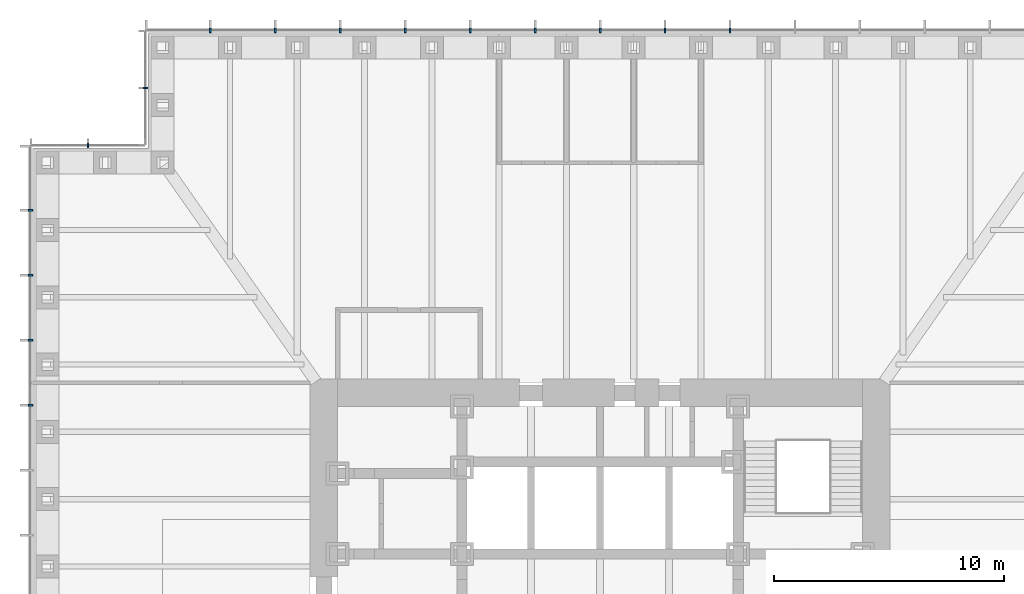
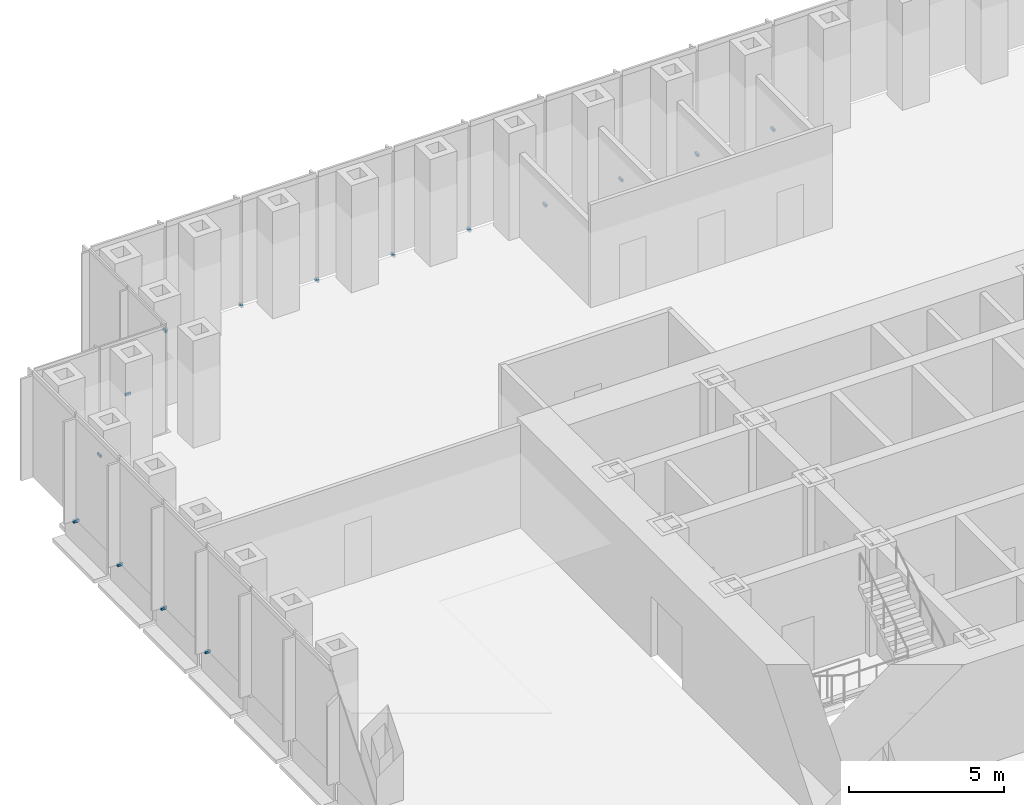
# One storey, part 14 of 16: 15 discrete accessories.
"""IFC4 building model written with IfcOpenShell, lengths in metres."""

from ifc_helpers import new_model, si_unit, direction, frame, origin, origin_2d, place, context, subcontext, project, spatial, rectangle, extrude, element, save


model = new_model("IFC4")

# Units and contexts
model_context = context("Model", 3, precision=1e-05, world=origin(), true_north=direction((0.0, 1.0)))
body_context = subcontext(model_context, "Body", "Model", "MODEL_VIEW")
ifc_project = project(units=[si_unit("LENGTHUNIT", "METRE"), si_unit("AREAUNIT", "SQUARE_METRE"), si_unit("VOLUMEUNIT", "CUBIC_METRE"), si_unit("PLANEANGLEUNIT", "RADIAN"), si_unit("MASSUNIT", "GRAM", prefix="KILO")], contexts=[model_context])

# Site, building, storey
site_placement = place(None, origin())
site = spatial("IfcSite", under=ifc_project, at=site_placement, CompositionType="ELEMENT")
building_placement = place(site_placement, origin())
building = spatial("IfcBuilding", under=site, at=building_placement, Name="Daluyong Arena Tower", CompositionType="ELEMENT")
storey_placement = place(building_placement, frame((0.0, 0.0, 43.300048828125)))
storey = spatial("IfcBuildingStorey", under=building, at=storey_placement, Name="L08", CompositionType="ELEMENT", Elevation=43.300048828125)

# Discrete accessories
for number, where, z_axis, x_axis, name in (
    (1, (61.642822265625, 104.75, -0.10009765625), (0.0, 0.0, 1.0), (-1.0, 0.0, 0.0), "curtain wall L08 N anchor bracket 6"),
    (2, (58.821533203125, 104.75, -0.10009765625), (0.0, 0.0, 1.0), (-1.0, 0.0, 0.0), "curtain wall L08 N anchor bracket 7"),
    (3, (56.0, 104.75, -0.10009765625), (0.0, 0.0, 1.0), (-1.0, 0.0, 0.0), "curtain wall L08 N anchor bracket 8"),
    (4, (53.178466796875, 104.75, -0.10009765625), (0.0, 0.0, 1.0), (-1.0, 0.0, 0.0), "curtain wall L08 N anchor bracket 9"),
    (5, (50.357177734375, 104.75, -0.10009765625), (0.0, 0.0, 1.0), (-1.0, 0.0, 0.0), "curtain wall L08 N anchor bracket 10"),
    (6, (47.53564453125, 104.75, -0.10009765625), (0.0, 0.0, 1.0), (-1.0, 0.0, 0.0), "curtain wall L08 N anchor bracket 11"),
    (7, (44.71435546875, 104.75, -0.10009765625), (0.0, 0.0, 1.0), (-1.0, 0.0, 0.0), "curtain wall L08 N anchor bracket 12"),
    (8, (41.892822265625, 104.75, -0.10009765625), (0.0, 0.0, 1.0), (-1.0, 0.0, 0.0), "curtain wall L08 N anchor bracket 13"),
    (9, (39.071533203125, 104.75, -0.10009765625), (0.0, 0.0, 1.0), (-1.0, 0.0, 0.0), "curtain wall L08 N anchor bracket 14"),
):
    element("IfcDiscreteAccessory", number, at=place(storey_placement, frame(where, z_axis=z_axis, x_axis=x_axis)), inside=storey, Name=name, PredefinedType="BRACKET", context=body_context, shape_type="SweptSolid", body=[
        extrude(rectangle(XDim=0.080078125, YDim=0.199951171875, at=origin_2d()), origin(), (0.0, 0.0, 1.0), 0.10009765625),
    ])
for number, where, z_axis, x_axis, name in (
    (10, (36.25, 102.25, -0.10009765625), (0.0, 0.0, 1.0), (0.0, -1.0, 0.0), "curtain wall L08 NW-W anchor bracket 2"),
    (11, (33.75, 99.75, -0.10009765625), (0.0, 0.0, 1.0), (-1.0, 0.0, 0.0), "curtain wall L08 NW-N anchor bracket 2"),
):
    element("IfcDiscreteAccessory", number, at=place(storey_placement, frame(where, z_axis=z_axis, x_axis=x_axis)), inside=storey, Name=name, PredefinedType="BRACKET", context=body_context, shape_type="SweptSolid", body=[
        extrude(rectangle(XDim=0.06005859375, YDim=0.199951171875, at=origin_2d()), origin(), (0.0, 0.0, 1.0), 0.10009765625),
    ])
for number, where, z_axis, x_axis, name in (
    (12, (31.25, 96.928466796875, -0.10009765625), (0.0, 0.0, 1.0), (0.0, -1.0, 0.0), "curtain wall L08 W anchor bracket 2"),
    (13, (31.25, 94.107177734375, -0.10009765625), (0.0, 0.0, 1.0), (0.0, -1.0, 0.0), "curtain wall L08 W anchor bracket 3"),
    (14, (31.25, 91.28564453125, -0.10009765625), (0.0, 0.0, 1.0), (0.0, -1.0, 0.0), "curtain wall L08 W anchor bracket 4"),
    (15, (31.25, 88.46435546875, -0.10009765625), (0.0, 0.0, 1.0), (0.0, -1.0, 0.0), "curtain wall L08 W anchor bracket 5"),
):
    element("IfcDiscreteAccessory", number, at=place(storey_placement, frame(where, z_axis=z_axis, x_axis=x_axis)), inside=storey, Name=name, PredefinedType="BRACKET", context=body_context, shape_type="SweptSolid", body=[
        extrude(rectangle(XDim=0.080078125, YDim=0.199951171875, at=origin_2d()), origin(), (0.0, 0.0, 1.0), 0.10009765625),
    ])

save(model, "model.ifc")
